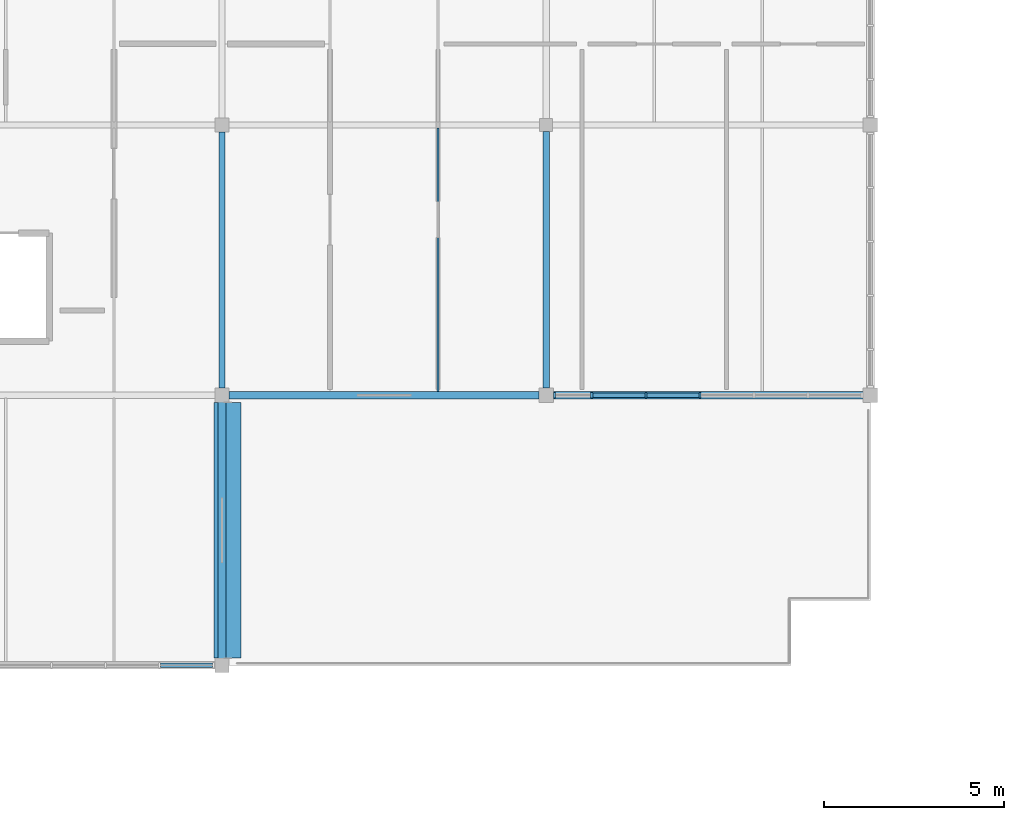
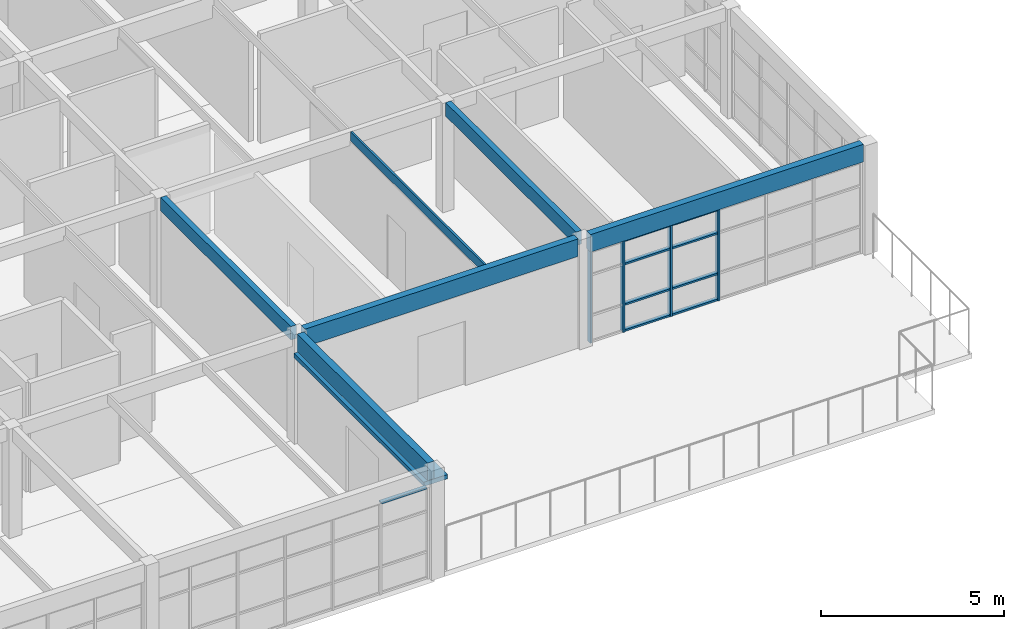
# One storey, part 12 of 45: 14 members, 6 beams, 2 elements without a shape of their own.
"""IFC4 building model written with IfcOpenShell, lengths in metres."""

from ifc_helpers import new_model, si_unit, direction, frame, origin, origin_2d, place, context, subcontext, project, spatial, rectangle, extrude, material, layer, layer_set, material_profile, profile_set, type_object, element, aggregate, save


model = new_model("IFC4")

# Units and contexts
model_context = context("Model", 3, precision=1e-05, world=origin(), true_north=direction((0.0, 1.0)))
body_context = subcontext(model_context, "Body", "Model", "MODEL_VIEW")
ifc_project = project(units=[si_unit("LENGTHUNIT", "METRE"), si_unit("AREAUNIT", "SQUARE_METRE"), si_unit("VOLUMEUNIT", "CUBIC_METRE"), si_unit("PLANEANGLEUNIT", "RADIAN"), si_unit("MASSUNIT", "GRAM", prefix="KILO")], contexts=[model_context])

# Site, building, storey
site_placement = place(None, origin())
site = spatial("IfcSite", under=ifc_project, at=site_placement, CompositionType="ELEMENT")
building_placement = place(site_placement, origin())
building = spatial("IfcBuilding", under=site, at=building_placement, Name="Marnridge Secondary College", CompositionType="ELEMENT")
storey_placement = place(building_placement, frame((0.0, 0.0, 12.300048828125)))
storey = spatial("IfcBuildingStorey", under=building, at=storey_placement, Name="L03", CompositionType="ELEMENT", Elevation=12.300048828125)

# Beams
ifc_material_1 = material(Name="Glulam timber GL18", Category="wood")
ifc_material_profile_1 = material_profile(ifc_material_1, rectangle(XDim=0.175048828125, YDim=0.449951171875, at=origin_2d()), Name="GL18 175x450")
ifc_profile_set_1 = profile_set([ifc_material_profile_1], Name="Glulam timber GL18")
beam_type_1 = type_object("IfcBeamType", Name="BM-GL450-INT", PredefinedType="BEAM", material=ifc_profile_set_1)
beam_1_placement = place(storey_placement, frame((18.0, 90.194091796875, 3.425048828125), z_axis=(0.0, 1.0, 0.0), x_axis=(-1.0, 0.0, 0.0)))
element("IfcBeam", 1, at=beam_1_placement, inside=storey, type_object=beam_type_1, Name="Beam BRF-L03-1326", PredefinedType="BEAM", context=body_context, shape_type="SweptSolid", body=[
    extrude(rectangle(XDim=0.175048828125, YDim=0.449951171875, at=origin_2d()), origin(), (0.0, 0.0, 1.0), 7.11181640625),
])
beam_2_placement = place(storey_placement, frame((27.0, 90.194091796875, 3.425048828125), z_axis=(0.0, 1.0, 0.0), x_axis=(-1.0, 0.0, 0.0)))
element("IfcBeam", 2, at=beam_2_placement, inside=storey, type_object=beam_type_1, Name="Beam BRF-L03-1335", PredefinedType="BEAM", context=body_context, shape_type="SweptSolid", body=[
    extrude(rectangle(XDim=0.175048828125, YDim=0.449951171875, at=origin_2d()), origin(), (0.0, 0.0, 1.0), 7.1318359375),
])
ifc_material_2 = material(Name="Glulam timber GL18", Category="wood")
ifc_material_profile_2 = material_profile(ifc_material_2, rectangle(XDim=0.215087890625, YDim=0.5849609375, at=origin_2d()), Name="GL18 215x585")
ifc_profile_set_2 = profile_set([ifc_material_profile_2], Name="Glulam timber GL18")
beam_type_2 = type_object("IfcBeamType", Name="BM-GL585-EXT", PredefinedType="SPANDREL", material=ifc_profile_set_2)
for number, where, z_axis, x_axis, name in (
    (3, (18.194091796875, 90.0, 3.357421875), (1.0, 0.0, 0.0), (0.0, 1.0, 0.0), "Beam BRF-L03-1333"),
    (4, (27.194091796875, 90.0, 3.357421875), (1.0, 0.0, 0.0), (0.0, 1.0, 0.0), "Beam BRF-L03-1342"),
):
    element("IfcBeam", number, at=place(storey_placement, frame(where, z_axis=z_axis, x_axis=x_axis)), inside=storey, type_object=beam_type_2, Name=name, PredefinedType="SPANDREL", context=body_context, shape_type="SweptSolid", body=[
        extrude(rectangle(XDim=0.215087890625, YDim=0.5849609375, at=origin_2d()), origin(), (0.0, 0.0, 1.0), 8.61181640625),
    ])
beam_3_placement = place(storey_placement, frame((18.0, 82.694091796875, 3.357421875), z_axis=(0.0, 1.0, 0.0), x_axis=(-1.0, 0.0, 0.0)))
element("IfcBeam", 5, at=beam_3_placement, inside=storey, type_object=beam_type_2, Name="Beam BRF-L03-1355", PredefinedType="SPANDREL", context=body_context, shape_type="SweptSolid", body=[
    extrude(rectangle(XDim=0.215087890625, YDim=0.5849609375, at=origin_2d()), origin(), (0.0, 0.0, 1.0), 7.11181640625),
])
ifc_material_3 = material(Name="Engineered timber LVL E13.2", Category="wood")
ifc_material_profile_3 = material_profile(ifc_material_3, rectangle(XDim=0.06298828125, YDim=0.300048828125, at=origin_2d()), Name="LVL 63x300")
ifc_profile_set_3 = profile_set([ifc_material_profile_3], Name="Engineered timber LVL E13.2")
beam_type_3 = type_object("IfcBeamType", Name="BM-LVL300-INT", PredefinedType="JOIST", material=ifc_profile_set_3)
beam_4_placement = place(storey_placement, frame((24.0, 90.1015625, 3.5), z_axis=(0.0, 1.0, 0.0), x_axis=(-1.0, 0.0, 0.0)))
element("IfcBeam", 6, at=beam_4_placement, inside=storey, type_object=beam_type_3, Name="Beam BJ-L03-1368", PredefinedType="JOIST", context=body_context, shape_type="SweptSolid", body=[
    extrude(rectangle(XDim=0.06298828125, YDim=0.300048828125, at=origin_2d()), origin(), (0.0, 0.0, 1.0), 7.31689453125),
])

# Curtain wall, members
ifc_material_4 = material(Name="Thermally broken aluminium and low-E glazing", Category="aluminium")
ifc_layer = layer(ifc_material_4, 0.159912109375)
ifc_layer_set = layer_set([ifc_layer], Name="CW-MOD-1500")
curtain_wall_type = type_object("IfcCurtainWallType", Name="CW-MOD-1500", PredefinedType="NOTDEFINED", material=ifc_layer_set)
curtain_wall_1_placement = place(storey_placement, origin())
curtain_wall_1 = element("IfcCurtainWall", 7, at=curtain_wall_1_placement, inside=storey, type_object=curtain_wall_type, Name="Unitised curtain wall CW-L03-122", PredefinedType="NOTDEFINED")
ifc_material_5 = material(Name="Anodised aluminium 6063-T6", Category="aluminium")
ifc_material_profile_4 = material_profile(ifc_material_5, rectangle(XDim=0.06005859375, YDim=0.159912109375, at=origin_2d()), Name="ALU 60x160")
ifc_profile_set_4 = profile_set([ifc_material_profile_4], Name="Anodised aluminium 6063-T6")
member_type_1 = type_object("IfcMemberType", Name="CWM-ALU160", PredefinedType="MULLION", material=ifc_profile_set_4)
member_1_placement = place(storey_placement, frame((31.26611328125, 90.0, 0.0), z_axis=(0.0, 0.0, 1.0), x_axis=(-1.0, 0.0, 0.0)))
member_1 = element("IfcMember", 8, at=member_1_placement, type_object=member_type_1, Name="CW-L03-122 mullion 4", PredefinedType="MULLION", context=body_context, shape_type="SweptSolid", body=[
    extrude(rectangle(XDim=0.06005859375, YDim=0.159912109375, at=origin_2d()), origin(), (0.0, 0.0, 1.0), 3.056884765625),
])
member_2_placement = place(storey_placement, frame((29.76611328125, 90.0, 0.0), z_axis=(0.0, 0.0, 1.0), x_axis=(-1.0, 0.0, 0.0)))
member_2 = element("IfcMember", 9, at=member_2_placement, type_object=member_type_1, Name="CW-L03-122 mullion 5", PredefinedType="MULLION", context=body_context, shape_type="SweptSolid", body=[
    extrude(rectangle(XDim=0.06005859375, YDim=0.159912109375, at=origin_2d()), origin(), (0.0, 0.0, 1.0), 3.056884765625),
])
member_3_placement = place(storey_placement, frame((28.26611328125, 90.0, 0.0), z_axis=(0.0, 0.0, 1.0), x_axis=(-1.0, 0.0, 0.0)))
member_3 = element("IfcMember", 10, at=member_3_placement, type_object=member_type_1, Name="CW-L03-122 mullion 6", PredefinedType="MULLION", context=body_context, shape_type="SweptSolid", body=[
    extrude(rectangle(XDim=0.06005859375, YDim=0.159912109375, at=origin_2d()), origin(), (0.0, 0.0, 1.0), 3.056884765625),
])
member_4_placement = place(storey_placement, frame((27.23388671875, 90.0, 0.0), z_axis=(0.0, 0.0, 1.0), x_axis=(-1.0, 0.0, 0.0)))
member_4 = element("IfcMember", 11, at=member_4_placement, type_object=member_type_1, Name="CW-L03-122 mullion 7", PredefinedType="MULLION", context=body_context, shape_type="SweptSolid", body=[
    extrude(rectangle(XDim=0.06005859375, YDim=0.159912109375, at=origin_2d()), origin(), (0.0, 0.0, 1.0), 3.056884765625),
])
ifc_material_6 = material(Name="Anodised aluminium 6063-T6", Category="aluminium")
ifc_material_profile_5 = material_profile(ifc_material_6, rectangle(XDim=0.06005859375, YDim=0.1201171875, at=origin_2d()), Name="ALU 60x120")
ifc_profile_set_5 = profile_set([ifc_material_profile_5], Name="Anodised aluminium 6063-T6")
member_type_2 = type_object("IfcMemberType", Name="CWT-ALU120", PredefinedType="USERDEFINED", material=ifc_profile_set_5)
member_5_placement = place(storey_placement, frame((31.236083984375, 90.0, 0.030029296875), z_axis=(-1.0, 0.0, 0.0), x_axis=(0.0, 0.0, 1.0)))
member_5 = element("IfcMember", 12, at=member_5_placement, type_object=member_type_2, Name="CW-L03-122 transom 4.1", ObjectType="TRANSOM", PredefinedType="USERDEFINED", context=body_context, shape_type="SweptSolid", body=[
    extrude(rectangle(XDim=0.06005859375, YDim=0.1201171875, at=origin_2d()), origin(), (0.0, 0.0, 1.0), 1.440185546875),
])
member_6_placement = place(storey_placement, frame((31.236083984375, 90.0, 0.89990234375), z_axis=(-1.0, 0.0, 0.0), x_axis=(0.0, 0.0, 1.0)))
member_6 = element("IfcMember", 13, at=member_6_placement, type_object=member_type_2, Name="CW-L03-122 transom 4.2", ObjectType="TRANSOM", PredefinedType="USERDEFINED", context=body_context, shape_type="SweptSolid", body=[
    extrude(rectangle(XDim=0.06005859375, YDim=0.1201171875, at=origin_2d()), origin(), (0.0, 0.0, 1.0), 1.440185546875),
])
member_7_placement = place(storey_placement, frame((31.236083984375, 90.0, 2.25), z_axis=(-1.0, 0.0, 0.0), x_axis=(0.0, 0.0, 1.0)))
member_7 = element("IfcMember", 14, at=member_7_placement, type_object=member_type_2, Name="CW-L03-122 transom 4.3", ObjectType="TRANSOM", PredefinedType="USERDEFINED", context=body_context, shape_type="SweptSolid", body=[
    extrude(rectangle(XDim=0.06005859375, YDim=0.1201171875, at=origin_2d()), origin(), (0.0, 0.0, 1.0), 1.440185546875),
])
member_8_placement = place(storey_placement, frame((31.236083984375, 90.0, 3.02685546875), z_axis=(-1.0, 0.0, 0.0), x_axis=(0.0, 0.0, 1.0)))
member_8 = element("IfcMember", 15, at=member_8_placement, type_object=member_type_2, Name="CW-L03-122 transom 4.4", ObjectType="TRANSOM", PredefinedType="USERDEFINED", context=body_context, shape_type="SweptSolid", body=[
    extrude(rectangle(XDim=0.06005859375, YDim=0.1201171875, at=origin_2d()), origin(), (0.0, 0.0, 1.0), 1.440185546875),
])
member_9_placement = place(storey_placement, frame((29.736083984375, 90.0, 0.030029296875), z_axis=(-1.0, 0.0, 0.0), x_axis=(0.0, 0.0, 1.0)))
member_9 = element("IfcMember", 16, at=member_9_placement, type_object=member_type_2, Name="CW-L03-122 transom 5.1", ObjectType="TRANSOM", PredefinedType="USERDEFINED", context=body_context, shape_type="SweptSolid", body=[
    extrude(rectangle(XDim=0.06005859375, YDim=0.1201171875, at=origin_2d()), origin(), (0.0, 0.0, 1.0), 1.440185546875),
])
member_10_placement = place(storey_placement, frame((29.736083984375, 90.0, 0.89990234375), z_axis=(-1.0, 0.0, 0.0), x_axis=(0.0, 0.0, 1.0)))
member_10 = element("IfcMember", 17, at=member_10_placement, type_object=member_type_2, Name="CW-L03-122 transom 5.2", ObjectType="TRANSOM", PredefinedType="USERDEFINED", context=body_context, shape_type="SweptSolid", body=[
    extrude(rectangle(XDim=0.06005859375, YDim=0.1201171875, at=origin_2d()), origin(), (0.0, 0.0, 1.0), 1.440185546875),
])
member_11_placement = place(storey_placement, frame((29.736083984375, 90.0, 2.25), z_axis=(-1.0, 0.0, 0.0), x_axis=(0.0, 0.0, 1.0)))
member_11 = element("IfcMember", 18, at=member_11_placement, type_object=member_type_2, Name="CW-L03-122 transom 5.3", ObjectType="TRANSOM", PredefinedType="USERDEFINED", context=body_context, shape_type="SweptSolid", body=[
    extrude(rectangle(XDim=0.06005859375, YDim=0.1201171875, at=origin_2d()), origin(), (0.0, 0.0, 1.0), 1.440185546875),
])
member_12_placement = place(storey_placement, frame((29.736083984375, 90.0, 3.02685546875), z_axis=(-1.0, 0.0, 0.0), x_axis=(0.0, 0.0, 1.0)))
member_12 = element("IfcMember", 19, at=member_12_placement, type_object=member_type_2, Name="CW-L03-122 transom 5.4", ObjectType="TRANSOM", PredefinedType="USERDEFINED", context=body_context, shape_type="SweptSolid", body=[
    extrude(rectangle(XDim=0.06005859375, YDim=0.1201171875, at=origin_2d()), origin(), (0.0, 0.0, 1.0), 1.440185546875),
])
aggregate(curtain_wall_1, [member_1, member_2, member_3, member_4, member_5, member_6, member_7, member_8, member_9, member_10, member_11, member_12])

# Curtain wall, member
curtain_wall_2_placement = place(storey_placement, origin())
curtain_wall_2 = element("IfcCurtainWall", 20, at=curtain_wall_2_placement, inside=storey, type_object=curtain_wall_type, Name="Unitised curtain wall CW-L03-123", PredefinedType="NOTDEFINED")
member_13_placement = place(storey_placement, frame((17.736083984375, 82.5, 3.02685546875), z_axis=(-1.0, 0.0, 0.0), x_axis=(0.0, 0.0, 1.0)))
member_13 = element("IfcMember", 21, at=member_13_placement, type_object=member_type_2, Name="CW-L03-123 transom 1.4", ObjectType="TRANSOM", PredefinedType="USERDEFINED", context=body_context, shape_type="SweptSolid", body=[
    extrude(rectangle(XDim=0.06005859375, YDim=0.1201171875, at=origin_2d()), origin(), (0.0, 0.0, 1.0), 1.440185546875),
])
aggregate(curtain_wall_2, [member_13])

# Member
ifc_material_7 = material(Name="Precast concrete C40/50 (AS 3600 N40, 40 MPa)", Category="concrete")
ifc_material_profile_6 = material_profile(ifc_material_7, rectangle(XDim=0.139892578125, YDim=0.75, at=origin_2d()), Name="FIN PC 140x750")
ifc_profile_set_6 = profile_set([ifc_material_profile_6], Name="Precast concrete C40/50 (AS 3600 N40, 40 MPa)")
member_type_3 = type_object("IfcMemberType", Name="MB-FIN-PC750", PredefinedType="USERDEFINED", material=ifc_profile_set_6)
member_14_placement = place(storey_placement, frame((18.159912109375, 89.800048828125, 2.97705078125), z_axis=(0.0, -1.0, 0.0), x_axis=(0.0, 0.0, 1.0)))
element("IfcMember", 22, at=member_14_placement, inside=storey, type_object=member_type_3, Name="Solar shading fin SFN-0025", ObjectType="SOLAR FIN", PredefinedType="USERDEFINED", context=body_context, shape_type="SweptSolid", body=[
    extrude(rectangle(XDim=0.139892578125, YDim=0.75, at=origin_2d()), origin(), (0.0, 0.0, 1.0), 7.10009765625),
])

save(model, "model.ifc")
